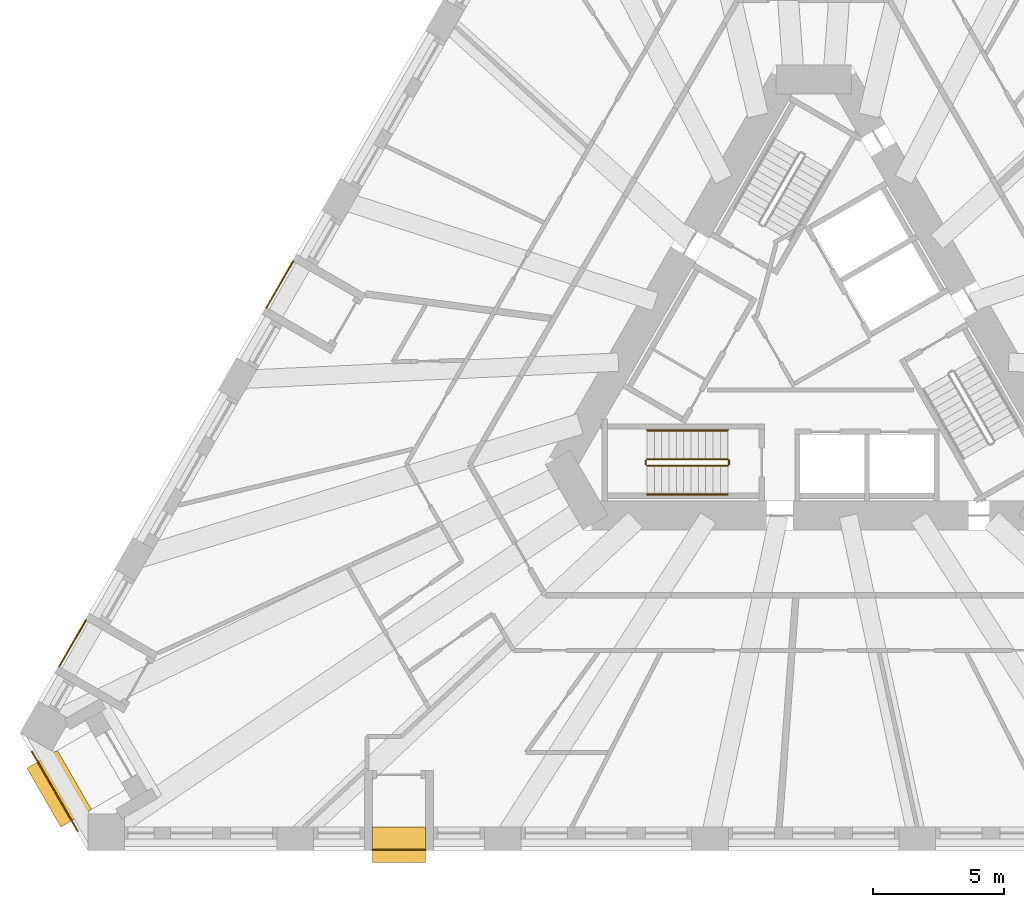
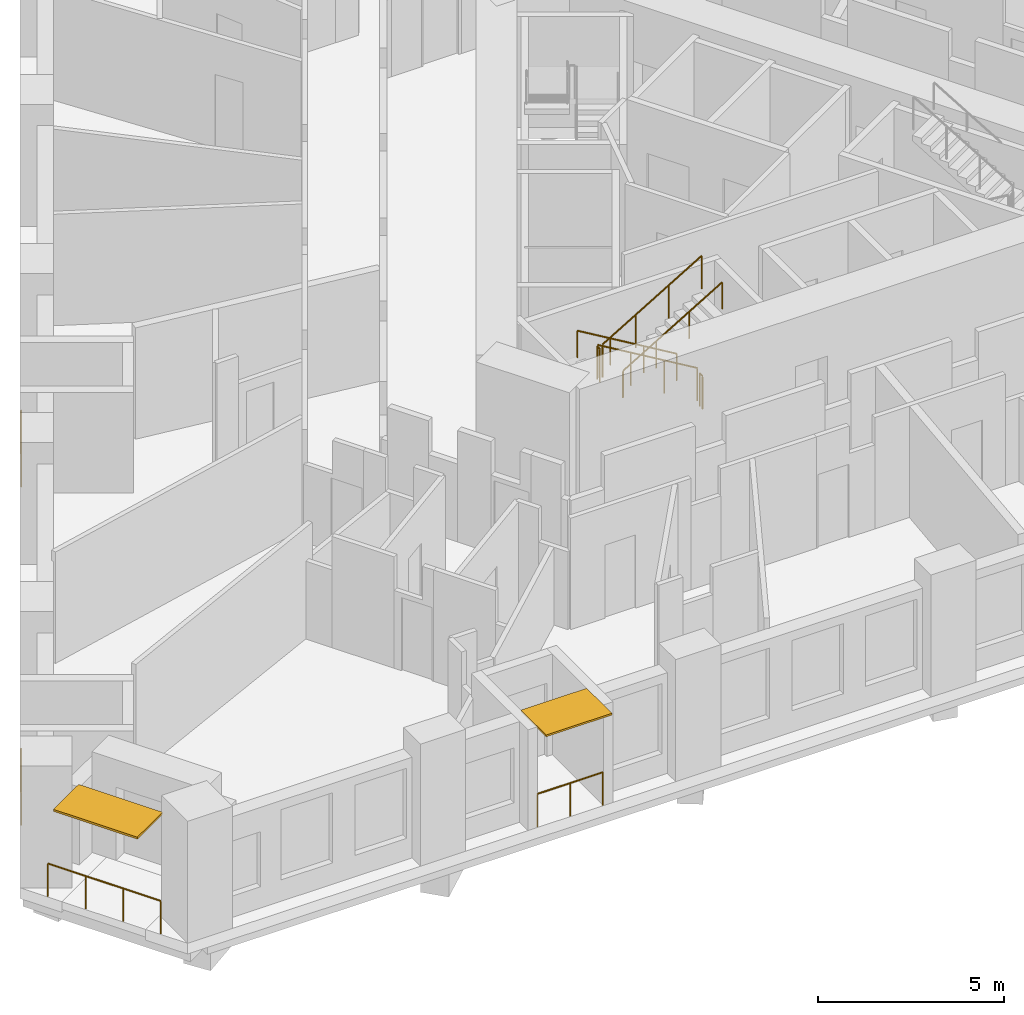
# One storey, part 11 of 14: 10 railings, 2 shading devices.
"""IFC4 building model written with IfcOpenShell, lengths in metres."""

from ifc_helpers import new_model, si_unit, direction, frame, origin, origin_2d, place, context, subcontext, project, spatial, rectangle, circle, extrude, material, layer, layer_set, type_object, element, save


model = new_model("IFC4")

# Units and contexts
model_context = context("Model", 3, precision=1e-05, world=origin(), true_north=direction((0.0, 1.0)))
body_context = subcontext(model_context, "Body", "Model", "MODEL_VIEW")
ifc_project = project(units=[si_unit("LENGTHUNIT", "METRE"), si_unit("AREAUNIT", "SQUARE_METRE"), si_unit("VOLUMEUNIT", "CUBIC_METRE"), si_unit("PLANEANGLEUNIT", "RADIAN"), si_unit("MASSUNIT", "GRAM", prefix="KILO")], contexts=[model_context])

# Site, building, storey
site_placement = place(None, origin())
site = spatial("IfcSite", under=ifc_project, at=site_placement, CompositionType="ELEMENT")
building_placement = place(site_placement, origin())
building = spatial("IfcBuilding", under=site, at=building_placement, Name="Tramontana Tower", CompositionType="ELEMENT")
storey_placement = place(building_placement, frame((0.0, 0.0, 30.0)))
storey = spatial("IfcBuildingStorey", under=building, at=storey_placement, Name="L05", CompositionType="ELEMENT", Elevation=30.0)

# Railings
ifc_material_1 = material(Name="Laminated glass balustrade", Category="glass")
railing_type_1 = type_object("IfcRailingType", Name="GD1 Loggia glass balustrade 1100", PredefinedType="BALUSTRADE", material=ifc_material_1)
for number, where, name in (
    (1, (-19.877685546875, 3.510986328125, 0.0), "Loggia balustrade L05 G0S0.13"),
    (2, (-27.795654296875, -10.203369140625, 0.0), "Loggia balustrade L05 G0S0.19"),
):
    element("IfcRailing", number, at=place(storey_placement, frame(where)), inside=storey, type_object=railing_type_1, Name=name, PredefinedType="BALUSTRADE", context=body_context, shape_type="SweptSolid", body=[
        extrude(circle(Radius=0.02392578125, at=origin_2d()), frame((0.0, 0.0, 1.076171875), z_axis=(-0.499950448838, -0.866054010271, 0.0), x_axis=(0.866054010271, -0.499950448838, 0.0)), (0.0, 0.0, 1.0), 2.039306640625),
        extrude(circle(Radius=0.02099609375, at=origin_2d()), origin(), (0.0, 0.0, 1.0), 1.052001953125),
        extrude(circle(Radius=0.02099609375, at=origin_2d()), frame((-0.509765625, -0.883056640625, 0.0)), (0.0, 0.0, 1.0), 1.052001953125),
        extrude(circle(Radius=0.02099609375, at=origin_2d()), frame((-1.01953125, -1.76611328125, 0.0)), (0.0, 0.0, 1.0), 1.052001953125),
    ])
railing_1_placement = place(storey_placement, frame((-16.85546875, -18.969970703125, 0.0)))
element("IfcRailing", 3, at=railing_1_placement, inside=storey, type_object=railing_type_1, Name="Loggia balustrade L05 G0S1.4", PredefinedType="BALUSTRADE", context=body_context, shape_type="SweptSolid", body=[
    extrude(circle(Radius=0.02392578125, at=origin_2d()), frame((0.0, 0.0, 1.076171875), z_axis=(1.0, 0.0, 0.0), x_axis=(0.0, 1.0, 0.0)), (0.0, 0.0, 1.0), 2.039306640625),
    extrude(circle(Radius=0.02099609375, at=origin_2d()), origin(), (0.0, 0.0, 1.0), 1.052001953125),
    extrude(circle(Radius=0.02099609375, at=origin_2d()), frame((1.01953125, 0.0, 0.0)), (0.0, 0.0, 1.0), 1.052001953125),
    extrude(circle(Radius=0.02099609375, at=origin_2d()), frame((2.039306640625, 0.0, 0.0)), (0.0, 0.0, 1.0), 1.052001953125),
])
railing_2_placement = place(storey_placement, frame((-28.11083984375, -18.25048828125, 0.0)))
element("IfcRailing", 4, at=railing_2_placement, inside=storey, type_object=railing_type_1, Name="Corner loggia balustrade L05 K01", PredefinedType="BALUSTRADE", context=body_context, shape_type="SweptSolid", body=[
    extrude(circle(Radius=0.02392578125, at=origin_2d()), frame((0.0, 0.0, 1.076171875), z_axis=(-0.500010275428, 0.866019471182, 0.0), x_axis=(-0.866019471182, -0.500010275428, 0.0)), (0.0, 0.0, 1.0), 3.5),
    extrude(circle(Radius=0.02099609375, at=origin_2d()), origin(), (0.0, 0.0, 1.0), 1.052001953125),
    extrude(circle(Radius=0.02099609375, at=origin_2d()), frame((-0.583251953125, 1.01025390625, 0.0)), (0.0, 0.0, 1.0), 1.052001953125),
    extrude(circle(Radius=0.02099609375, at=origin_2d()), frame((-1.166748046875, 2.020751953125, 0.0)), (0.0, 0.0, 1.0), 1.052001953125),
    extrude(circle(Radius=0.02099609375, at=origin_2d()), frame((-1.75, 3.031005859375, 0.0)), (0.0, 0.0, 1.0), 1.052001953125),
])

# Shading devices
ifc_material_2 = material(Name="Precast concrete 60 MPa", Category="concrete")
ifc_layer_1 = layer(ifc_material_2, 0.06005859375)
ifc_layer_set_1 = layer_set([ifc_layer_1], Name="SS1 Stone sunshade blade 60")
shading_device_type_1 = type_object("IfcShadingDeviceType", Name="SS1 Stone sunshade blade 60", PredefinedType="USERDEFINED", material=ifc_layer_set_1)
shading_device_1_placement = place(storey_placement, frame((-15.8359375, -18.77490234375, 3.239990234375), z_axis=(0.0, 0.0, 1.0), x_axis=(1.0, 0.0, 0.0)))
element("IfcShadingDevice", 5, at=shading_device_1_placement, inside=storey, type_object=shading_device_type_1, Name="Sunshade L05 G0S1.4", ObjectType="SUNSHADE", PredefinedType="USERDEFINED", context=body_context, shape_type="SweptSolid", body=[
    extrude(rectangle(XDim=2.039306640625, YDim=1.35009765625, at=origin_2d()), origin(), (0.0, 0.0, 1.0), 0.06005859375),
])
ifc_material_3 = material(Name="Precast concrete 60 MPa", Category="concrete")
ifc_layer_2 = layer(ifc_material_3, 0.070068359375)
ifc_layer_set_2 = layer_set([ifc_layer_2], Name="SS2 Stone sunshade blade 70")
shading_device_type_2 = type_object("IfcShadingDeviceType", Name="SS2 Stone sunshade blade 70", PredefinedType="USERDEFINED", material=ifc_layer_set_2)
shading_device_2_placement = place(storey_placement, frame((-28.81689453125, -16.637451171875, 3.22998046875), z_axis=(0.0, 0.0, 1.0), x_axis=(-0.5, 0.866025403784, 0.0)))
element("IfcShadingDevice", 6, at=shading_device_2_placement, inside=storey, type_object=shading_device_type_2, Name="Corner sunshade L05 K01", ObjectType="SUNSHADE", PredefinedType="USERDEFINED", context=body_context, shape_type="SweptSolid", body=[
    extrude(rectangle(XDim=2.60009765625, YDim=1.35009765625, at=origin_2d()), origin(), (0.0, 0.0, 1.0), 0.070068359375),
])

# Railings
ifc_material_4 = material(Name="Painted steel", Category="steel")
railing_type_2 = type_object("IfcRailingType", Name="STAIR GUARD 1100", PredefinedType="GUARDRAIL", material=ifc_material_4)
railing_3_placement = place(storey_placement, frame((-3.280029296875, -4.050048828125, 0.166748046875)))
element("IfcRailing", 7, at=railing_3_placement, inside=storey, type_object=railing_type_2, Name="L05 ST2 stair guard 1", PredefinedType="GUARDRAIL", context=body_context, shape_type="SweptSolid", body=[
    extrude(circle(Radius=0.02392578125, at=origin_2d()), frame((0.0, 0.0, 1.076171875), z_axis=(-0.859308565015, 0.0, 0.511457515432), x_axis=(0.0, -1.0, 0.0)), (0.0, 0.0, 1.0), 3.58447265625),
    extrude(circle(Radius=0.02099609375, at=origin_2d()), origin(), (0.0, 0.0, 1.0), 1.052001953125),
    extrude(circle(Radius=0.02099609375, at=origin_2d()), frame((-1.026611328125, 0.0, 0.611083984375)), (0.0, 0.0, 1.0), 1.052001953125),
    extrude(circle(Radius=0.02099609375, at=origin_2d()), frame((-2.053466796875, 0.0, 1.22216796875)), (0.0, 0.0, 1.0), 1.052001953125),
    extrude(circle(Radius=0.02099609375, at=origin_2d()), frame((-3.080078125, 0.0, 1.833251953125)), (0.0, 0.0, 1.0), 1.052001953125),
])
railing_4_placement = place(storey_placement, frame((-6.360107421875, -4.300048828125, 2.166748046875)))
element("IfcRailing", 8, at=railing_4_placement, inside=storey, type_object=railing_type_2, Name="L05 ST2 stair guard 2", PredefinedType="GUARDRAIL", context=body_context, shape_type="SweptSolid", body=[
    extrude(circle(Radius=0.02392578125, at=origin_2d()), frame((0.0, 0.0, 1.076171875), z_axis=(0.859308565015, 0.0, 0.511457515432), x_axis=(0.0, 1.0, 0.0)), (0.0, 0.0, 1.0), 3.58447265625),
    extrude(circle(Radius=0.02099609375, at=origin_2d()), origin(), (0.0, 0.0, 1.0), 1.052001953125),
    extrude(circle(Radius=0.02099609375, at=origin_2d()), frame((1.026611328125, 0.0, 0.611083984375)), (0.0, 0.0, 1.0), 1.052001953125),
    extrude(circle(Radius=0.02099609375, at=origin_2d()), frame((2.053466796875, 0.0, 1.22216796875)), (0.0, 0.0, 1.0), 1.052001953125),
    extrude(circle(Radius=0.02099609375, at=origin_2d()), frame((3.080078125, 0.0, 1.833251953125)), (0.0, 0.0, 1.0), 1.052001953125),
])
for number, where, name in (
    (9, (-6.409912109375, -4.10009765625, 2.0), "L05 ST2 stair guard 3"),
    (10, (-3.22998046875, -4.10009765625, 0.0), "L05 ST2 stair guard 4"),
):
    element("IfcRailing", number, at=place(storey_placement, frame(where)), inside=storey, type_object=railing_type_2, Name=name, PredefinedType="GUARDRAIL", context=body_context, shape_type="SweptSolid", body=[
        extrude(circle(Radius=0.02392578125, at=origin_2d()), frame((0.0, 0.0, 1.076171875), z_axis=(0.0, -1.0, 0.0), x_axis=(1.0, 0.0, 0.0)), (0.0, 0.0, 1.0), 0.14990234375),
        extrude(circle(Radius=0.02099609375, at=origin_2d()), origin(), (0.0, 0.0, 1.0), 1.052001953125),
        extrude(circle(Radius=0.02099609375, at=origin_2d()), frame((0.0, -0.14990234375, 0.0)), (0.0, 0.0, 1.0), 1.052001953125),
    ])
ifc_material_5 = material(Name="Painted steel", Category="steel")
railing_type_3 = type_object("IfcRailingType", Name="STAIR HANDRAIL 900", PredefinedType="HANDRAIL", material=ifc_material_5)
railing_5_placement = place(storey_placement, frame((-3.280029296875, -2.949951171875, 0.166748046875)))
element("IfcRailing", 11, at=railing_5_placement, inside=storey, type_object=railing_type_3, Name="L05 ST2 stair handrail 1", PredefinedType="HANDRAIL", context=body_context, shape_type="SweptSolid", body=[
    extrude(circle(Radius=0.02392578125, at=origin_2d()), frame((0.0, 0.0, 0.8759765625), z_axis=(-0.859308565015, 0.0, 0.511457515432), x_axis=(0.0, -1.0, 0.0)), (0.0, 0.0, 1.0), 3.58447265625),
    extrude(circle(Radius=0.02099609375, at=origin_2d()), origin(), (0.0, 0.0, 1.0), 0.851806640625),
    extrude(circle(Radius=0.02099609375, at=origin_2d()), frame((-1.026611328125, 0.0, 0.611083984375)), (0.0, 0.0, 1.0), 0.851806640625),
    extrude(circle(Radius=0.02099609375, at=origin_2d()), frame((-2.053466796875, 0.0, 1.22216796875)), (0.0, 0.0, 1.0), 0.851806640625),
    extrude(circle(Radius=0.02099609375, at=origin_2d()), frame((-3.080078125, 0.0, 1.833251953125)), (0.0, 0.0, 1.0), 0.851806640625),
])
railing_6_placement = place(storey_placement, frame((-6.360107421875, -5.39990234375, 2.166748046875)))
element("IfcRailing", 12, at=railing_6_placement, inside=storey, type_object=railing_type_3, Name="L05 ST2 stair handrail 2", PredefinedType="HANDRAIL", context=body_context, shape_type="SweptSolid", body=[
    extrude(circle(Radius=0.02392578125, at=origin_2d()), frame((0.0, 0.0, 0.8759765625), z_axis=(0.859308565015, 0.0, 0.511457515432), x_axis=(0.0, 1.0, 0.0)), (0.0, 0.0, 1.0), 3.58447265625),
    extrude(circle(Radius=0.02099609375, at=origin_2d()), origin(), (0.0, 0.0, 1.0), 0.851806640625),
    extrude(circle(Radius=0.02099609375, at=origin_2d()), frame((1.026611328125, 0.0, 0.611083984375)), (0.0, 0.0, 1.0), 0.851806640625),
    extrude(circle(Radius=0.02099609375, at=origin_2d()), frame((2.053466796875, 0.0, 1.22216796875)), (0.0, 0.0, 1.0), 0.851806640625),
    extrude(circle(Radius=0.02099609375, at=origin_2d()), frame((3.080078125, 0.0, 1.833251953125)), (0.0, 0.0, 1.0), 0.851806640625),
])

save(model, "model.ifc")
